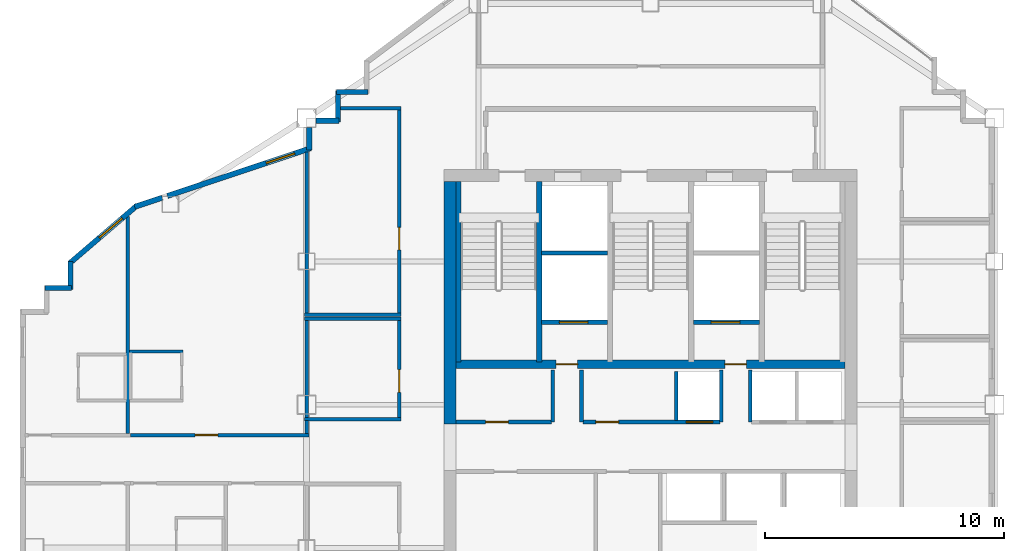
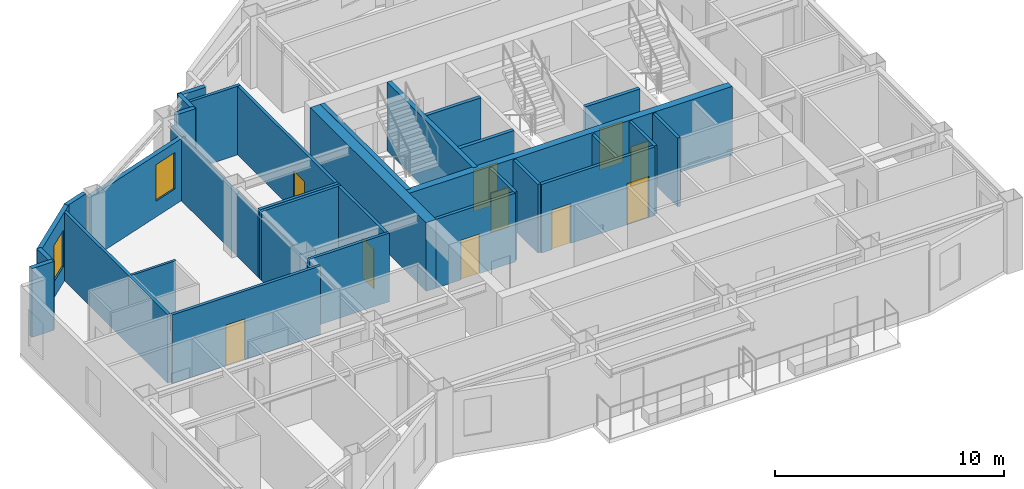
# One storey, part 6 of 9: 35 walls, 10 doors, 2 windows, 12 openings.
"""IFC4 building model written with IfcOpenShell, lengths in metres."""

from ifc_helpers import new_model, si_unit, direction, frame, frame_2d, origin, place, context, subcontext, project, spatial, rectangle, extrude, material, layer, layer_set, type_object, element, fill, save


model = new_model("IFC4")

# Units and contexts
model_context = context("Model", 3, precision=1e-05, world=origin(), true_north=direction((0.0, 1.0)))
body_context = subcontext(model_context, "Body", "Model", "MODEL_VIEW")
ifc_project = project(units=[si_unit("LENGTHUNIT", "METRE"), si_unit("AREAUNIT", "SQUARE_METRE"), si_unit("VOLUMEUNIT", "CUBIC_METRE"), si_unit("PLANEANGLEUNIT", "RADIAN"), si_unit("MASSUNIT", "GRAM", prefix="KILO")], contexts=[model_context])

# Site, building, storey
site_placement = place(None, origin())
site = spatial("IfcSite", under=ifc_project, at=site_placement, CompositionType="ELEMENT")
building_placement = place(site_placement, origin())
building = spatial("IfcBuilding", under=site, at=building_placement, Name="Haolan Belvedere Tower", CompositionType="ELEMENT")
storey_placement = place(building_placement, frame((0.0, 0.0, 262.14990234375)))
storey = spatial("IfcBuildingStorey", under=building, at=storey_placement, Name="L66", CompositionType="ELEMENT", Elevation=262.14990234375)

# Walls
ifc_material_1 = material(Name="Concrete C50/60", Category="concrete")
ifc_layer_1 = layer(ifc_material_1, 0.5, Name="Concrete C50/60")
ifc_layer_set_1 = layer_set([ifc_layer_1], Name="Concrete C50/60")
wall_type_1 = type_object("IfcWallType", Name="WL-CORE-500", PredefinedType="SHEAR", material=ifc_layer_set_1)
wall_1_placement = place(storey_placement, frame((30.0, 32.800048828125, 0.0), z_axis=(0.0, 0.0, 1.0), x_axis=(0.0, 1.0, 0.0)))
element("IfcWall", 1, at=wall_1_placement, inside=storey, type_object=wall_type_1, Name="L66 central core shear wall WN", PredefinedType="SHEAR", context=body_context, shape_type="SweptSolid", body=[
    extrude(rectangle(XDim=10.14990234375, YDim=0.5, at=frame_2d((5.074951171875, 0.0))), origin(), (0.0, 0.0, 1.0), 3.670166015625),
])
ifc_material_2 = material(Name="Precast concrete C40/50", Category="concrete")
ifc_layer_2 = layer(ifc_material_2, 0.219970703125, Name="Precast concrete C40/50")
ifc_layer_set_2 = layer_set([ifc_layer_2], Name="Precast concrete C40/50")
wall_type_2 = type_object("IfcWallType", Name="WL-EXT-220", PredefinedType="SOLIDWALL", material=ifc_layer_set_2)
for number, where, z_axis, x_axis, name in (
    (2, (26.56494140625, 46.68994140625, 0.0), (0.0, 0.0, 1.0), (-1.0, 0.0, 0.0), "L66 pale-metal exterior spandrel wall 13.1"),
    (3, (25.31005859375, 46.7451171875, 0.0), (0.0, 0.0, 1.0), (0.0, -1.0, 0.0), "L66 pale-metal exterior spandrel wall 14.1"),
):
    element("IfcWall", number, at=place(storey_placement, frame(where, z_axis=z_axis, x_axis=x_axis)), inside=storey, type_object=wall_type_2, Name=name, PredefinedType="SOLIDWALL", context=body_context, shape_type="SweptSolid", body=[
        extrude(rectangle(XDim=1.31005859375, YDim=0.219970703125, at=frame_2d((0.655029296875, 0.0))), origin(), (0.0, 0.0, 1.0), 3.670166015625),
    ])
wall_2_placement = place(storey_placement, frame((25.364990234375, 45.489990234375, 0.0), z_axis=(0.0, 0.0, 1.0), x_axis=(-1.0, 0.0, 0.0)))
element("IfcWall", 4, at=wall_2_placement, inside=storey, type_object=wall_type_2, Name="L66 pale-metal exterior spandrel wall 15.1", PredefinedType="SOLIDWALL", context=body_context, shape_type="SweptSolid", body=[
    extrude(rectangle(XDim=0.972900390625, YDim=0.219970703125, at=frame_2d((0.486328125, 0.0))), origin(), (0.0, 0.0, 1.0), 3.670166015625),
])
wall_3_placement = place(storey_placement, frame((24.110107421875, 45.2080078125, 0.0), z_axis=(0.0, 0.0, 1.0), x_axis=(0.0, -1.0, 0.0)))
element("IfcWall", 5, at=wall_3_placement, inside=storey, type_object=wall_type_2, Name="L66 pale-metal exterior spandrel wall 16.1", PredefinedType="SOLIDWALL", context=body_context, shape_type="SweptSolid", body=[
    extrude(rectangle(XDim=0.9423828125, YDim=0.219970703125, at=frame_2d((0.47119140625, 0.0))), origin(), (0.0, 0.0, 1.0), 3.315185546875),
])

# Wall, opening, window
wall_4_placement = place(storey_placement, frame((24.162109375, 44.338134765625, 0.0), z_axis=(0.0, 0.0, 1.0), x_axis=(-0.948687165594, -0.31621616315, 0.0)))
wall_4 = element("IfcWall", 6, at=wall_4_placement, inside=storey, type_object=wall_type_2, Name="L66 pale-metal exterior spandrel wall 17.1", PredefinedType="SOLIDWALL", context=body_context, shape_type="SweptSolid", body=[
    extrude(rectangle(XDim=6.3125, YDim=0.219970703125, at=frame_2d((3.15625, 0.0))), origin(), (0.0, 0.0, 1.0), 3.315185546875),
])
opening_1_placement = place(wall_4_placement, frame((0.699951171875, 0.0, 0.85009765625)))
opening_1 = element("IfcOpeningElement", 7, at=opening_1_placement, cuts=wall_4, Name="Opening W-04", PredefinedType="OPENING", context=body_context, shape_type="SweptSolid", body=[
    extrude(rectangle(XDim=1.25, YDim=1.949951171875, at=frame_2d((0.625, 0.97509765625))), frame((0.0, 0.119873046875, 0.0), z_axis=(0.0, -1.0, 0.0), x_axis=(1.0, 0.0, 0.0)), (0.0, 0.0, 1.0), 0.239990234375),
])
ifc_material_3 = material(Name="Anodised aluminium 6063-T6 and Low-E glass", Category="aluminium")
window_type = type_object("IfcWindowType", Name="WN-DECO-Z4", PartitioningType="SINGLE_PANEL", PredefinedType="WINDOW", material=ifc_material_3)
window_1_placement = place(opening_1_placement, origin())
window_1 = element("IfcWindow", 8, at=window_1_placement, inside=storey, type_object=window_type, Name="L66 Art Deco chevron window 1", OverallHeight=1.949951171875, OverallWidth=1.25, PartitioningType="SINGLE_PANEL", PredefinedType="WINDOW", context=body_context, shape_type="SweptSolid", body=[
    extrude(rectangle(XDim=1.25, YDim=1.949951171875, at=frame_2d((0.625, 0.97509765625))), frame((0.0, 0.030029296875, 0.0), z_axis=(0.0, -1.0, 0.0), x_axis=(1.0, 0.0, 0.0)), (0.0, 0.0, 1.0), 0.06005859375),
])
fill(opening_1, window_1)

# Wall
wall_5_placement = place(storey_placement, frame((17.9580078125, 42.27001953125, 0.0), z_axis=(0.0, 0.0, 1.0), x_axis=(-0.948683298051, -0.316227766017, 0.0)))
element("IfcWall", 9, at=wall_5_placement, inside=storey, type_object=wall_type_2, Name="L66 pale-metal exterior spandrel wall 17.2", PredefinedType="SOLIDWALL", context=body_context, shape_type="SweptSolid", body=[
    extrude(rectangle(XDim=1.217529296875, YDim=0.219970703125, at=frame_2d((0.60888671875, 0.0))), origin(), (0.0, 0.0, 1.0), 3.670166015625),
])

# Wall, opening, window
wall_6_placement = place(storey_placement, frame((16.89697265625, 41.938232421875, 0.0), z_axis=(0.0, 0.0, 1.0), x_axis=(-0.759279729622, -0.650764390686, 0.0)))
wall_6 = element("IfcWall", 10, at=wall_6_placement, inside=storey, type_object=wall_type_2, Name="L66 pale-metal exterior spandrel wall 18.1", PredefinedType="SOLIDWALL", context=body_context, shape_type="SweptSolid", body=[
    extrude(rectangle(XDim=3.725830078125, YDim=0.219970703125, at=frame_2d((1.86279296875, 0.0))), origin(), (0.0, 0.0, 1.0), 3.670166015625),
])
opening_2_placement = place(wall_6_placement, frame((0.819091796875, 0.0, 0.85009765625)))
opening_2 = element("IfcOpeningElement", 11, at=opening_2_placement, cuts=wall_6, Name="Opening W-04", PredefinedType="OPENING", context=body_context, shape_type="SweptSolid", body=[
    extrude(rectangle(XDim=1.25, YDim=1.949951171875, at=frame_2d((0.625, 0.97509765625))), frame((0.0, 0.119873046875, 0.0), z_axis=(0.0, -1.0, 0.0), x_axis=(1.0, 0.0, 0.0)), (0.0, 0.0, 1.0), 0.239990234375),
])
window_2_placement = place(opening_2_placement, origin())
window_2 = element("IfcWindow", 12, at=window_2_placement, inside=storey, type_object=window_type, Name="L66 Art Deco chevron window 1", OverallHeight=1.949951171875, OverallWidth=1.25, PartitioningType="SINGLE_PANEL", PredefinedType="WINDOW", context=body_context, shape_type="SweptSolid", body=[
    extrude(rectangle(XDim=1.25, YDim=1.949951171875, at=frame_2d((0.625, 0.97509765625))), frame((0.0, 0.030029296875, 0.0), z_axis=(0.0, -1.0, 0.0), x_axis=(1.0, 0.0, 0.0)), (0.0, 0.0, 1.0), 0.06005859375),
])
fill(opening_2, window_2)

# Walls
wall_7_placement = place(storey_placement, frame((14.110107421875, 39.6044921875, 0.0), z_axis=(0.0, 0.0, 1.0), x_axis=(0.0, -1.0, 0.0)))
element("IfcWall", 13, at=wall_7_placement, inside=storey, type_object=wall_type_2, Name="L66 pale-metal exterior spandrel wall 19.1", PredefinedType="SOLIDWALL", context=body_context, shape_type="SweptSolid", body=[
    extrude(rectangle(XDim=1.16943359375, YDim=0.219970703125, at=frame_2d((0.584716796875, 0.0))), origin(), (0.0, 0.0, 1.0), 3.670166015625),
])
wall_8_placement = place(storey_placement, frame((14.1650390625, 38.489990234375, 0.0), z_axis=(0.0, 0.0, 1.0), x_axis=(-1.0, 0.0, 0.0)))
element("IfcWall", 14, at=wall_8_placement, inside=storey, type_object=wall_type_2, Name="L66 pale-metal exterior spandrel wall 20.1", PredefinedType="SOLIDWALL", context=body_context, shape_type="SweptSolid", body=[
    extrude(rectangle(XDim=1.110107421875, YDim=0.219970703125, at=frame_2d((0.55517578125, 0.0))), origin(), (0.0, 0.0, 1.0), 3.670166015625),
])
ifc_material_4 = material(Name="Double gypsum acoustic stud partition", Category="masonry")
ifc_layer_3 = layer(ifc_material_4, 0.14990234375, Name="Double gypsum acoustic stud partition")
ifc_layer_set_3 = layer_set([ifc_layer_3], Name="Double gypsum acoustic stud partition")
wall_type_3 = type_object("IfcWallType", Name="WL-PART-150", PredefinedType="PARTITIONING", material=ifc_layer_set_3)
for number, where, z_axis, x_axis, name in (
    (15, (23.919921875, 37.199951171875, 0.0), (0.0, 0.0, 1.0), (1.0, 0.0, 0.0), "L66 interior partition IW-L66-HSK-N"),
    (16, (23.919921875, 33.0, 0.0), (0.0, 0.0, 1.0), (1.0, 0.0, 0.0), "L66 interior partition IW-L66-HSK-S"),
):
    element("IfcWall", number, at=place(storey_placement, frame(where, z_axis=z_axis, x_axis=x_axis)), inside=storey, type_object=wall_type_3, Name=name, PredefinedType="PARTITIONING", context=body_context, shape_type="SweptSolid", body=[
        extrude(rectangle(XDim=4.0400390625, YDim=0.14990234375, at=frame_2d((2.02001953125, 0.0))), origin(), (0.0, 0.0, 1.0), 3.670166015625),
    ])
wall_9_placement = place(storey_placement, frame((24.0, 33.06005859375, 0.0), z_axis=(0.0, 0.0, 1.0), x_axis=(0.0, 1.0, 0.0)))
element("IfcWall", 17, at=wall_9_placement, inside=storey, type_object=wall_type_3, Name="L66 interior partition IW-L66-HSK-W", PredefinedType="PARTITIONING", context=body_context, shape_type="SweptSolid", body=[
    extrude(rectangle(XDim=4.079833984375, YDim=0.14990234375, at=frame_2d((2.0400390625, 0.0))), origin(), (0.0, 0.0, 1.0), 3.315185546875),
])

# Wall, opening, door
wall_10_placement = place(storey_placement, frame((27.8798828125, 33.06005859375, 0.0), z_axis=(0.0, 0.0, 1.0), x_axis=(0.0, 1.0, 0.0)))
wall_10 = element("IfcWall", 18, at=wall_10_placement, inside=storey, type_object=wall_type_3, Name="L66 interior partition IW-L66-HSK-E", PredefinedType="PARTITIONING", context=body_context, shape_type="SweptSolid", body=[
    extrude(rectangle(XDim=4.079833984375, YDim=0.14990234375, at=frame_2d((2.0400390625, 0.0))), origin(), (0.0, 0.0, 1.0), 3.670166015625),
])
opening_3_placement = place(wall_10_placement, frame((2.010009765625, 0.0, 0.0), z_axis=(0.0, 0.0, 1.0), x_axis=(-1.0, 0.0, 0.0)))
opening_3 = element("IfcOpeningElement", 19, at=opening_3_placement, cuts=wall_10, Name="Opening ID-03", PredefinedType="OPENING", context=body_context, shape_type="SweptSolid", body=[
    extrude(rectangle(XDim=0.949951171875, YDim=2.1201171875, at=frame_2d((0.47509765625, 1.06005859375))), frame((0.0, 0.0849609375, 0.0), z_axis=(0.0, -1.0, 0.0), x_axis=(1.0, 0.0, 0.0)), (0.0, 0.0, 1.0), 0.169921875),
])
ifc_material_5 = material(Name="Painted solid-core timber", Category="wood")
door_type_1 = type_object("IfcDoorType", Name="DR-INT-950", OperationType="NOTDEFINED", PredefinedType="DOOR", material=ifc_material_5)
door_1_placement = place(opening_3_placement, origin())
door_1 = element("IfcDoor", 20, at=door_1_placement, inside=storey, type_object=door_type_1, Name="L66 door ID-L66-HSK", OperationType="SINGLE_SWING_LEFT", OverallHeight=2.1201171875, OverallWidth=0.949951171875, PredefinedType="DOOR", context=body_context, shape_type="SweptSolid", body=[
    extrude(rectangle(XDim=0.949951171875, YDim=2.1201171875, at=frame_2d((0.47509765625, 1.06005859375))), frame((0.0, 0.02490234375, 0.0), z_axis=(0.0, -1.0, 0.0), x_axis=(1.0, 0.0, 0.0)), (0.0, 0.0, 1.0), 0.050048828125),
])
fill(opening_3, door_1)

# Walls
wall_11_placement = place(storey_placement, frame((25.412109375, 46.02001953125, 0.0), z_axis=(0.0, 0.0, 1.0), x_axis=(1.0, 0.0, 0.0)))
element("IfcWall", 21, at=wall_11_placement, inside=storey, type_object=wall_type_3, Name="L66 interior partition IW-L66-MTG-N", PredefinedType="PARTITIONING", context=body_context, shape_type="SweptSolid", body=[
    extrude(rectangle(XDim=2.5478515625, YDim=0.14990234375, at=frame_2d((1.27392578125, 0.0))), origin(), (0.0, 0.0, 1.0), 3.670166015625),
])
wall_12_placement = place(storey_placement, frame((23.919921875, 37.360107421875, 0.0), z_axis=(0.0, 0.0, 1.0), x_axis=(1.0, 0.0, 0.0)))
element("IfcWall", 22, at=wall_12_placement, inside=storey, type_object=wall_type_3, Name="L66 interior partition IW-L66-MTG-S", PredefinedType="PARTITIONING", context=body_context, shape_type="SweptSolid", body=[
    extrude(rectangle(XDim=4.0400390625, YDim=0.14990234375, at=frame_2d((2.02001953125, 0.0))), origin(), (0.0, 0.0, 1.0), 3.670166015625),
])
wall_13_placement = place(storey_placement, frame((24.0, 37.419921875, 0.0), z_axis=(0.0, 0.0, 1.0), x_axis=(0.0, 1.0, 0.0)))
element("IfcWall", 23, at=wall_13_placement, inside=storey, type_object=wall_type_3, Name="L66 interior partition IW-L66-MTG-W", PredefinedType="PARTITIONING", context=body_context, shape_type="SweptSolid", body=[
    extrude(rectangle(XDim=6.756591796875, YDim=0.14990234375, at=frame_2d((3.37841796875, 0.0))), origin(), (0.0, 0.0, 1.0), 3.315185546875),
])

# Wall, opening, door
wall_14_placement = place(storey_placement, frame((27.8798828125, 37.419921875, 0.0), z_axis=(0.0, 0.0, 1.0), x_axis=(0.0, 1.0, 0.0)))
wall_14 = element("IfcWall", 24, at=wall_14_placement, inside=storey, type_object=wall_type_3, Name="L66 interior partition IW-L66-MTG-E", PredefinedType="PARTITIONING", context=body_context, shape_type="SweptSolid", body=[
    extrude(rectangle(XDim=8.5400390625, YDim=0.14990234375, at=frame_2d((4.27001953125, 0.0))), origin(), (0.0, 0.0, 1.0), 3.670166015625),
])
opening_4_placement = place(wall_14_placement, frame((3.60986328125, 0.0, 0.0), z_axis=(0.0, 0.0, 1.0), x_axis=(-1.0, 0.0, 0.0)))
opening_4 = element("IfcOpeningElement", 25, at=opening_4_placement, cuts=wall_14, Name="Opening ID-03", PredefinedType="OPENING", context=body_context, shape_type="SweptSolid", body=[
    extrude(rectangle(XDim=0.949951171875, YDim=2.1201171875, at=frame_2d((0.47509765625, 1.06005859375))), frame((0.0, 0.0849609375, 0.0), z_axis=(0.0, -1.0, 0.0), x_axis=(1.0, 0.0, 0.0)), (0.0, 0.0, 1.0), 0.169921875),
])
door_2_placement = place(opening_4_placement, origin())
door_2 = element("IfcDoor", 26, at=door_2_placement, inside=storey, type_object=door_type_1, Name="L66 door ID-L66-MTG", OperationType="SINGLE_SWING_RIGHT", OverallHeight=2.1201171875, OverallWidth=0.949951171875, PredefinedType="DOOR", context=body_context, shape_type="SweptSolid", body=[
    extrude(rectangle(XDim=0.949951171875, YDim=2.1201171875, at=frame_2d((0.47509765625, 1.06005859375))), frame((0.0, 0.02490234375, 0.0), z_axis=(0.0, -1.0, 0.0), x_axis=(1.0, 0.0, 0.0)), (0.0, 0.0, 1.0), 0.050048828125),
])
fill(opening_4, door_2)

# Wall
wall_15_placement = place(storey_placement, frame((16.52001953125, 32.389892578125, 0.0), z_axis=(0.0, 0.0, 1.0), x_axis=(0.0, 1.0, 0.0)))
element("IfcWall", 27, at=wall_15_placement, inside=storey, type_object=wall_type_3, Name="L66 interior partition IW-L66-T2N1-E", PredefinedType="PARTITIONING", context=body_context, shape_type="SweptSolid", body=[
    extrude(rectangle(XDim=9.0908203125, YDim=0.14990234375, at=frame_2d((4.54541015625, 0.0))), origin(), (0.0, 0.0, 1.0), 3.670166015625),
])

# Wall, opening, door
wall_16_placement = place(storey_placement, frame((16.6220703125, 32.330078125, 0.0), z_axis=(0.0, 0.0, 1.0), x_axis=(1.0, 0.0, 0.0)))
wall_16 = element("IfcWall", 28, at=wall_16_placement, inside=storey, type_object=wall_type_3, Name="L66 interior partition IW-L66-T2N2-S", PredefinedType="PARTITIONING", context=body_context, shape_type="SweptSolid", body=[
    extrude(rectangle(XDim=7.47802734375, YDim=0.14990234375, at=frame_2d((3.739013671875, 0.0))), origin(), (0.0, 0.0, 1.0), 3.670166015625),
])
opening_5_placement = place(wall_16_placement, frame((2.7080078125, 0.0, 0.0)))
opening_5 = element("IfcOpeningElement", 29, at=opening_5_placement, cuts=wall_16, Name="Opening ID-01", PredefinedType="OPENING", context=body_context, shape_type="SweptSolid", body=[
    extrude(rectangle(XDim=0.949951171875, YDim=2.179931640625, at=frame_2d((0.47509765625, 1.08984375))), frame((0.0, 0.0849609375, 0.0), z_axis=(0.0, -1.0, 0.0), x_axis=(1.0, 0.0, 0.0)), (0.0, 0.0, 1.0), 0.169921875),
])
ifc_material_6 = material(Name="Acoustic walnut veneer fire-rated timber", Category="wood")
door_type_2 = type_object("IfcDoorType", Name="DR-SUITE-950", OperationType="NOTDEFINED", PredefinedType="DOOR", material=ifc_material_6)
door_3_placement = place(opening_5_placement, origin())
door_3 = element("IfcDoor", 30, at=door_3_placement, inside=storey, type_object=door_type_2, Name="L66 door ID-L66-T2N2-ENT", OperationType="SINGLE_SWING_LEFT", OverallHeight=2.179931640625, OverallWidth=0.949951171875, PredefinedType="DOOR", context=body_context, shape_type="SweptSolid", body=[
    extrude(rectangle(XDim=0.949951171875, YDim=2.179931640625, at=frame_2d((0.47509765625, 1.08984375))), frame((0.0, 0.02490234375, 0.0), z_axis=(0.0, -1.0, 0.0), x_axis=(1.0, 0.0, 0.0)), (0.0, 0.0, 1.0), 0.050048828125),
])
fill(opening_5, door_3)

# Walls
wall_17_placement = place(storey_placement, frame((24.0, 32.389892578125, 0.0), z_axis=(0.0, 0.0, 1.0), x_axis=(0.0, 1.0, 0.0)))
element("IfcWall", 31, at=wall_17_placement, inside=storey, type_object=wall_type_3, Name="L66 interior partition IW-L66-T2N2-E", PredefinedType="PARTITIONING", context=body_context, shape_type="SweptSolid", body=[
    extrude(rectangle(XDim=0.550048828125, YDim=0.14990234375, at=frame_2d((0.27490234375, 0.0))), origin(), (0.0, 0.0, 1.0), 3.315185546875),
])
ifc_material_7 = material(Name="Gypsum fire shaftwall assembly", Category="masonry")
ifc_layer_4 = layer(ifc_material_7, 0.1650390625, Name="Gypsum fire shaftwall assembly")
ifc_layer_set_4 = layer_set([ifc_layer_4], Name="Gypsum fire shaftwall assembly")
wall_type_4 = type_object("IfcWallType", Name="WL-SHAFT-160", PredefinedType="SOLIDWALL", material=ifc_layer_set_4)
for number, where, z_axis, x_axis, name in (
    (32, (34.31005859375, 32.8798828125, 0.0), (0.0, 0.0, 1.0), (0.0, 1.0, 0.0), "L66 interior partition IW-L66-SVP-W-SV1"),
    (33, (35.510009765625, 32.8798828125, 0.0), (0.0, 0.0, 1.0), (0.0, 1.0, 0.0), "L66 interior partition IW-L66-SVP-E-SV1"),
    (34, (41.3701171875, 32.8798828125, 0.0), (0.0, 0.0, 1.0), (0.0, 1.0, 0.0), "L66 interior partition IW-L66-SVP-W-SV2"),
    (35, (42.570068359375, 32.8798828125, 0.0), (0.0, 0.0, 1.0), (0.0, 1.0, 0.0), "L66 interior partition IW-L66-SVP-E-SV2"),
):
    element("IfcWall", number, at=place(storey_placement, frame(where, z_axis=z_axis, x_axis=x_axis)), inside=storey, type_object=wall_type_4, Name=name, PredefinedType="SOLIDWALL", context=body_context, shape_type="SweptSolid", body=[
        extrude(rectangle(XDim=2.170166015625, YDim=0.14990234375, at=frame_2d((1.0849609375, 0.0))), origin(), (0.0, 0.0, 1.0), 3.670166015625),
    ])

# Wall, opening, door
wall_18_placement = place(storey_placement, frame((30.25, 32.8798828125, 0.0), z_axis=(0.0, 0.0, 1.0), x_axis=(1.0, 0.0, 0.0)))
wall_18 = element("IfcWall", 36, at=wall_18_placement, inside=storey, type_object=wall_type_4, Name="L66 interior partition IW-L66-ROW-PN1", PredefinedType="SOLIDWALL", context=body_context, shape_type="SweptSolid", body=[
    extrude(rectangle(XDim=4.0, YDim=0.159912109375, at=frame_2d((2.0, 0.0))), origin(), (0.0, 0.0, 1.0), 3.670166015625),
])
opening_6_placement = place(wall_18_placement, frame((2.199951171875, 0.0, 0.0), z_axis=(0.0, 0.0, 1.0), x_axis=(-1.0, 0.0, 0.0)))
opening_6 = element("IfcOpeningElement", 37, at=opening_6_placement, cuts=wall_18, Name="Opening ID-03", PredefinedType="OPENING", context=body_context, shape_type="SweptSolid", body=[
    extrude(rectangle(XDim=0.949951171875, YDim=2.1201171875, at=frame_2d((0.47509765625, 1.06005859375))), frame((0.0, 0.08984375, 0.0), z_axis=(0.0, -1.0, 0.0), x_axis=(1.0, 0.0, 0.0)), (0.0, 0.0, 1.0), 0.179931640625),
])
door_4_placement = place(opening_6_placement, origin())
door_4 = element("IfcDoor", 38, at=door_4_placement, inside=storey, type_object=door_type_1, Name="L66 door ID-L66-CD-RPLW", OperationType="SINGLE_SWING_LEFT", OverallHeight=2.1201171875, OverallWidth=0.949951171875, PredefinedType="DOOR", context=body_context, shape_type="SweptSolid", body=[
    extrude(rectangle(XDim=0.949951171875, YDim=2.1201171875, at=frame_2d((0.47509765625, 1.06005859375))), frame((0.0, 0.02490234375, 0.0), z_axis=(0.0, -1.0, 0.0), x_axis=(1.0, 0.0, 0.0)), (0.0, 0.0, 1.0), 0.050048828125),
])
fill(opening_6, door_4)

# Wall, openings, doors
wall_19_placement = place(storey_placement, frame((35.570068359375, 32.8798828125, 0.0), z_axis=(0.0, 0.0, 1.0), x_axis=(1.0, 0.0, 0.0)))
wall_19 = element("IfcWall", 39, at=wall_19_placement, inside=storey, type_object=wall_type_4, Name="L66 interior partition IW-L66-ROW-PN2", PredefinedType="SOLIDWALL", context=body_context, shape_type="SweptSolid", body=[
    extrude(rectangle(XDim=5.739990234375, YDim=0.159912109375, at=frame_2d((2.8701171875, 0.0))), origin(), (0.0, 0.0, 1.0), 3.670166015625),
])
opening_7_placement = place(wall_19_placement, frame((1.489990234375, 0.0, 0.0), z_axis=(0.0, 0.0, 1.0), x_axis=(-1.0, 0.0, 0.0)))
opening_7 = element("IfcOpeningElement", 40, at=opening_7_placement, cuts=wall_19, Name="Opening ID-03", PredefinedType="OPENING", context=body_context, shape_type="SweptSolid", body=[
    extrude(rectangle(XDim=0.949951171875, YDim=2.1201171875, at=frame_2d((0.47509765625, 1.06005859375))), frame((0.0, 0.08984375, 0.0), z_axis=(0.0, -1.0, 0.0), x_axis=(1.0, 0.0, 0.0)), (0.0, 0.0, 1.0), 0.179931640625),
])
opening_8_placement = place(wall_19_placement, frame((5.43017578125, 0.0, 0.0), z_axis=(0.0, 0.0, 1.0), x_axis=(-1.0, 0.0, 0.0)))
opening_8 = element("IfcOpeningElement", 41, at=opening_8_placement, cuts=wall_19, Name="Opening LD-01", PredefinedType="OPENING", context=body_context, shape_type="SweptSolid", body=[
    extrude(rectangle(XDim=1.10009765625, YDim=2.199951171875, at=frame_2d((0.550048828125, 1.10009765625))), frame((0.0, 0.08984375, 0.0), z_axis=(0.0, -1.0, 0.0), x_axis=(1.0, 0.0, 0.0)), (0.0, 0.0, 1.0), 0.179931640625),
])
door_5_placement = place(opening_7_placement, origin())
door_5 = element("IfcDoor", 42, at=door_5_placement, inside=storey, type_object=door_type_1, Name="L66 door ID-L66-CD-RPLE", OperationType="SINGLE_SWING_RIGHT", OverallHeight=2.1201171875, OverallWidth=0.949951171875, PredefinedType="DOOR", context=body_context, shape_type="SweptSolid", body=[
    extrude(rectangle(XDim=0.949951171875, YDim=2.1201171875, at=frame_2d((0.47509765625, 1.06005859375))), frame((0.0, 0.02490234375, 0.0), z_axis=(0.0, -1.0, 0.0), x_axis=(1.0, 0.0, 0.0)), (0.0, 0.0, 1.0), 0.050048828125),
])
fill(opening_7, door_5)
ifc_material_8 = material(Name="Brushed champagne stainless steel 316L", Category="steel")
door_type_3 = type_object("IfcDoorType", Name="DR-LIFT-1100", OperationType="SLIDING_TO_LEFT", PredefinedType="DOOR", material=ifc_material_8)
door_6_placement = place(opening_8_placement, origin())
door_6 = element("IfcDoor", 43, at=door_6_placement, inside=storey, type_object=door_type_3, Name="L66 door ID-L66-LD-PH1", OperationType="SLIDING_TO_RIGHT", OverallHeight=2.199951171875, OverallWidth=1.10009765625, PredefinedType="DOOR", context=body_context, shape_type="SweptSolid", body=[
    extrude(rectangle(XDim=1.10009765625, YDim=2.199951171875, at=frame_2d((0.550048828125, 1.10009765625))), frame((0.0, 0.02490234375, 0.0), z_axis=(0.0, -1.0, 0.0), x_axis=(1.0, 0.0, 0.0)), (0.0, 0.0, 1.0), 0.050048828125),
])
fill(opening_8, door_6)

# Walls
wall_20_placement = place(storey_placement, frame((39.469970703125, 32.949951171875, 0.0), z_axis=(0.0, 0.0, 1.0), x_axis=(0.0, 1.0, 0.0)))
element("IfcWall", 44, at=wall_20_placement, inside=storey, type_object=wall_type_4, Name="L66 interior partition IW-L66-DIV-PL4R", PredefinedType="SOLIDWALL", context=body_context, shape_type="SweptSolid", body=[
    extrude(rectangle(XDim=2.050048828125, YDim=0.14990234375, at=frame_2d((1.02490234375, 0.0))), origin(), (0.0, 0.0, 1.0), 3.670166015625),
])
ifc_layer_5 = layer(ifc_material_2, 0.179931640625, Name="Precast concrete C40/50")
ifc_layer_set_5 = layer_set([ifc_layer_5], Name="Precast concrete C40/50")
wall_type_5 = type_object("IfcWallType", Name="WL-SHAFT-180", PredefinedType="SOLIDWALL", material=ifc_layer_set_5)
wall_21_placement = place(storey_placement, frame((33.8349609375, 39.949951171875, 0.0), z_axis=(0.0, 0.0, 1.0), x_axis=(1.0, 0.0, 0.0)))
element("IfcWall", 45, at=wall_21_placement, inside=storey, type_object=wall_type_5, Name="L66 interior partition IW-L66-FF1-S", PredefinedType="SOLIDWALL", context=body_context, shape_type="SweptSolid", body=[
    extrude(rectangle(XDim=2.77001953125, YDim=0.179931640625, at=frame_2d((1.385009765625, 0.0))), origin(), (0.0, 0.0, 1.0), 3.670166015625),
])

# Wall, opening, door
wall_22_placement = place(storey_placement, frame((33.8349609375, 37.050048828125, 0.0), z_axis=(0.0, 0.0, 1.0), x_axis=(1.0, 0.0, 0.0)))
wall_22 = element("IfcWall", 46, at=wall_22_placement, inside=storey, type_object=wall_type_5, Name="L66 interior partition IW-L66-SV1-S", PredefinedType="SOLIDWALL", context=body_context, shape_type="SweptSolid", body=[
    extrude(rectangle(XDim=2.77001953125, YDim=0.179931640625, at=frame_2d((1.385009765625, 0.0))), origin(), (0.0, 0.0, 1.0), 3.670166015625),
])
opening_9_placement = place(wall_22_placement, frame((1.945068359375, 0.0, 0.0), z_axis=(0.0, 0.0, 1.0), x_axis=(-1.0, 0.0, 0.0)))
opening_9 = element("IfcOpeningElement", 47, at=opening_9_placement, cuts=wall_22, Name="Opening LD-02", PredefinedType="OPENING", context=body_context, shape_type="SweptSolid", body=[
    extrude(rectangle(XDim=1.199951171875, YDim=2.199951171875, at=frame_2d((0.60009765625, 1.10009765625))), frame((0.0, 0.099853515625, 0.0), z_axis=(0.0, -1.0, 0.0), x_axis=(1.0, 0.0, 0.0)), (0.0, 0.0, 1.0), 0.199951171875),
])
door_type_4 = type_object("IfcDoorType", Name="DR-LIFT-1200", OperationType="SLIDING_TO_RIGHT", PredefinedType="DOOR", material=ifc_material_8)
door_7_placement = place(opening_9_placement, origin())
door_7 = element("IfcDoor", 48, at=door_7_placement, inside=storey, type_object=door_type_4, Name="L66 door ID-L66-LD-SV1", OperationType="SLIDING_TO_RIGHT", OverallHeight=2.199951171875, OverallWidth=1.199951171875, PredefinedType="DOOR", context=body_context, shape_type="SweptSolid", body=[
    extrude(rectangle(XDim=1.199951171875, YDim=2.199951171875, at=frame_2d((0.60009765625, 1.10009765625))), frame((0.0, 0.02490234375, 0.0), z_axis=(0.0, -1.0, 0.0), x_axis=(1.0, 0.0, 0.0)), (0.0, 0.0, 1.0), 0.050048828125),
])
fill(opening_9, door_7)

wall_23_placement = place(storey_placement, frame((40.195068359375, 37.050048828125, 0.0), z_axis=(0.0, 0.0, 1.0), x_axis=(1.0, 0.0, 0.0)))
wall_23 = element("IfcWall", 49, at=wall_23_placement, inside=storey, type_object=wall_type_5, Name="L66 interior partition IW-L66-SV2-S", PredefinedType="SOLIDWALL", context=body_context, shape_type="SweptSolid", body=[
    extrude(rectangle(XDim=2.77001953125, YDim=0.179931640625, at=frame_2d((1.385009765625, 0.0))), origin(), (0.0, 0.0, 1.0), 3.670166015625),
])
opening_10_placement = place(wall_23_placement, frame((1.945068359375, 0.0, 0.0), z_axis=(0.0, 0.0, 1.0), x_axis=(-1.0, 0.0, 0.0)))
opening_10 = element("IfcOpeningElement", 50, at=opening_10_placement, cuts=wall_23, Name="Opening LD-02", PredefinedType="OPENING", context=body_context, shape_type="SweptSolid", body=[
    extrude(rectangle(XDim=1.199951171875, YDim=2.199951171875, at=frame_2d((0.60009765625, 1.10009765625))), frame((0.0, 0.099853515625, 0.0), z_axis=(0.0, -1.0, 0.0), x_axis=(1.0, 0.0, 0.0)), (0.0, 0.0, 1.0), 0.199951171875),
])
door_8_placement = place(opening_10_placement, origin())
door_8 = element("IfcDoor", 51, at=door_8_placement, inside=storey, type_object=door_type_4, Name="L66 door ID-L66-LD-SV2", OperationType="SLIDING_TO_RIGHT", OverallHeight=2.199951171875, OverallWidth=1.199951171875, PredefinedType="DOOR", context=body_context, shape_type="SweptSolid", body=[
    extrude(rectangle(XDim=1.199951171875, YDim=2.199951171875, at=frame_2d((0.60009765625, 1.10009765625))), frame((0.0, 0.02490234375, 0.0), z_axis=(0.0, -1.0, 0.0), x_axis=(1.0, 0.0, 0.0)), (0.0, 0.0, 1.0), 0.050048828125),
])
fill(opening_10, door_8)

# Walls
ifc_layer_6 = layer(ifc_material_1, 0.219970703125, Name="Concrete C50/60")
ifc_layer_set_6 = layer_set([ifc_layer_6], Name="Concrete C50/60")
wall_type_6 = type_object("IfcWallType", Name="WL-STAIR-220", PredefinedType="SHEAR", material=ifc_layer_set_6)
for number, where, z_axis, x_axis, name in (
    (52, (30.362060546875, 35.389892578125, 0.0), (0.0, 0.0, 1.0), (0.0, 1.0, 0.0), "L66 structural stair core wall ST1W"),
    (53, (33.739990234375, 35.389892578125, 0.0), (0.0, 0.0, 1.0), (0.0, 1.0, 0.0), "L66 structural stair core wall ST1E"),
):
    element("IfcWall", number, at=place(storey_placement, frame(where, z_axis=z_axis, x_axis=x_axis)), inside=storey, type_object=wall_type_6, Name=name, PredefinedType="SHEAR", context=body_context, shape_type="SweptSolid", body=[
        extrude(rectangle(XDim=7.56005859375, YDim=0.219970703125, at=frame_2d((3.780029296875, 0.0))), origin(), (0.0, 0.0, 1.0), 3.670166015625),
    ])

# Wall, openings, doors
ifc_material_9 = material(Name="Concrete C60/75", Category="concrete")
ifc_layer_7 = layer(ifc_material_9, 0.360107421875, Name="Concrete C60/75")
ifc_layer_set_7 = layer_set([ifc_layer_7], Name="Concrete C60/75")
wall_type_7 = type_object("IfcWallType", Name="WL-WEB-350", PredefinedType="SHEAR", material=ifc_layer_set_7)
wall_24_placement = place(storey_placement, frame((30.25, 35.2900390625, 0.0), z_axis=(0.0, 0.0, 1.0), x_axis=(1.0, 0.0, 0.0)))
wall_24 = element("IfcWall", 54, at=wall_24_placement, inside=storey, type_object=wall_type_7, Name="L66 central core internal shear web", PredefinedType="SHEAR", context=body_context, shape_type="SweptSolid", body=[
    extrude(rectangle(XDim=16.300048828125, YDim=0.360107421875, at=frame_2d((8.14990234375, 0.0))), origin(), (0.0, 0.0, 1.0), 3.670166015625),
])
opening_11_placement = place(wall_24_placement, frame((5.099853515625, 0.0, 0.0), z_axis=(0.0, 0.0, 1.0), x_axis=(-1.0, 0.0, 0.0)))
opening_11 = element("IfcOpeningElement", 55, at=opening_11_placement, cuts=wall_24, Name="Opening FD-05", PredefinedType="OPENING", context=body_context, shape_type="SweptSolid", body=[
    extrude(rectangle(XDim=0.89990234375, YDim=2.10009765625, at=frame_2d((0.449951171875, 1.050048828125))), frame((0.0, 0.18994140625, 0.0), z_axis=(0.0, -1.0, 0.0), x_axis=(1.0, 0.0, 0.0)), (0.0, 0.0, 1.0), 0.380126953125),
])
opening_12_placement = place(wall_24_placement, frame((12.159912109375, 0.0, 0.0), z_axis=(0.0, 0.0, 1.0), x_axis=(-1.0, 0.0, 0.0)))
opening_12 = element("IfcOpeningElement", 56, at=opening_12_placement, cuts=wall_24, Name="Opening FD-05", PredefinedType="OPENING", context=body_context, shape_type="SweptSolid", body=[
    extrude(rectangle(XDim=0.89990234375, YDim=2.10009765625, at=frame_2d((0.449951171875, 1.050048828125))), frame((0.0, 0.18994140625, 0.0), z_axis=(0.0, -1.0, 0.0), x_axis=(1.0, 0.0, 0.0)), (0.0, 0.0, 1.0), 0.380126953125),
])
ifc_material_10 = material(Name="Galvanised fire-rated steel", Category="steel")
door_type_5 = type_object("IfcDoorType", Name="DR-FD60-900", OperationType="NOTDEFINED", PredefinedType="DOOR", material=ifc_material_10)
door_9_placement = place(opening_11_placement, origin())
door_9 = element("IfcDoor", 57, at=door_9_placement, inside=storey, type_object=door_type_5, Name="L66 door CD-L66-SVL-SV1", OperationType="SINGLE_SWING_RIGHT", OverallHeight=2.10009765625, OverallWidth=0.89990234375, PredefinedType="DOOR", context=body_context, shape_type="SweptSolid", body=[
    extrude(rectangle(XDim=0.89990234375, YDim=2.10009765625, at=frame_2d((0.449951171875, 1.050048828125))), frame((0.0, 0.02490234375, 0.0), z_axis=(0.0, -1.0, 0.0), x_axis=(1.0, 0.0, 0.0)), (0.0, 0.0, 1.0), 0.050048828125),
])
fill(opening_11, door_9)
door_10_placement = place(opening_12_placement, origin())
door_10 = element("IfcDoor", 58, at=door_10_placement, inside=storey, type_object=door_type_5, Name="L66 door CD-L66-SVL-SV2", OperationType="SINGLE_SWING_RIGHT", OverallHeight=2.10009765625, OverallWidth=0.89990234375, PredefinedType="DOOR", context=body_context, shape_type="SweptSolid", body=[
    extrude(rectangle(XDim=0.89990234375, YDim=2.10009765625, at=frame_2d((0.449951171875, 1.050048828125))), frame((0.0, 0.02490234375, 0.0), z_axis=(0.0, -1.0, 0.0), x_axis=(1.0, 0.0, 0.0)), (0.0, 0.0, 1.0), 0.050048828125),
])
fill(opening_12, door_10)

# Wall
ifc_material_11 = material(Name="Moisture-resistant gypsum tile partition", Category="masonry")
ifc_layer_8 = layer(ifc_material_11, 0.1201171875, Name="Moisture-resistant gypsum tile partition")
ifc_layer_set_8 = layer_set([ifc_layer_8], Name="Moisture-resistant gypsum tile partition")
wall_type_8 = type_object("IfcWallType", Name="WL-WET-120", PredefinedType="PARTITIONING", material=ifc_layer_set_8)
wall_25_placement = place(storey_placement, frame((16.580078125, 35.830078125, 0.0), z_axis=(0.0, 0.0, 1.0), x_axis=(1.0, 0.0, 0.0)))
element("IfcWall", 59, at=wall_25_placement, inside=storey, type_object=wall_type_8, Name="L66 interior partition IW-L66-T2N2-BN", PredefinedType="PARTITIONING", context=body_context, shape_type="SweptSolid", body=[
    extrude(rectangle(XDim=2.25, YDim=0.1201171875, at=frame_2d((1.125, 0.0))), origin(), (0.0, 0.0, 1.0), 3.670166015625),
])

save(model, "model.ifc")
